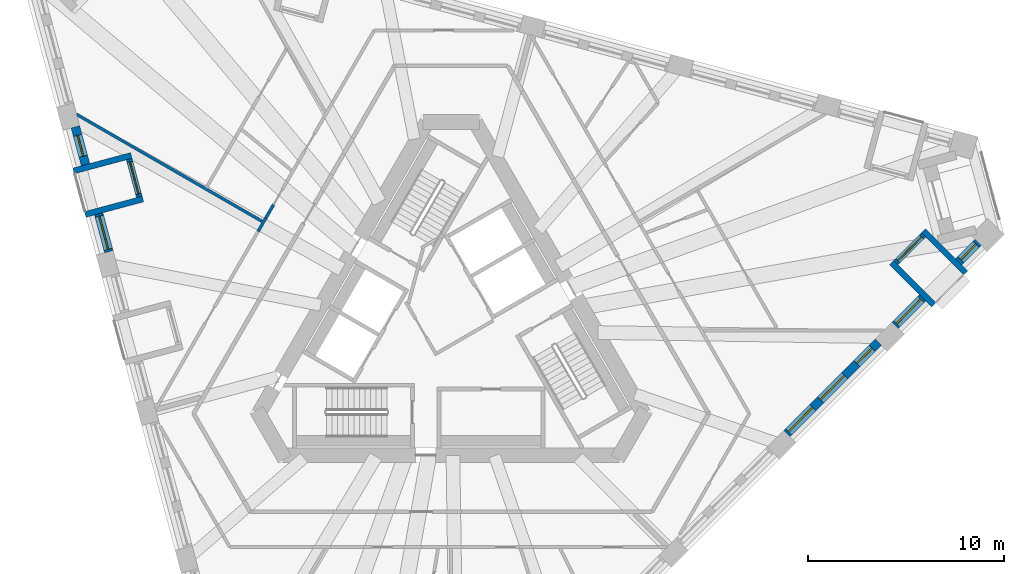
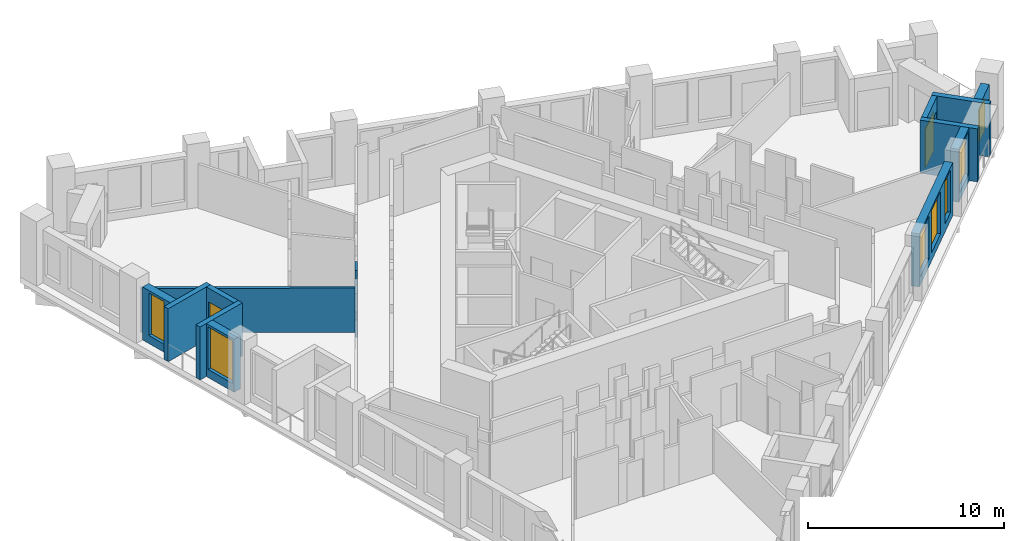
# One storey, part 6 of 13: 14 walls, 7 windows, 2 doors, 9 openings.
"""IFC4 building model written with IfcOpenShell, lengths in metres."""

from ifc_helpers import new_model, si_unit, direction, frame, frame_2d, origin, place, context, subcontext, project, spatial, rectangle, extrude, material, layer, layer_set, type_object, element, fill, save


model = new_model("IFC4")

# Units and contexts
model_context = context("Model", 3, precision=1e-05, world=origin(), true_north=direction((0.0, 1.0)))
body_context = subcontext(model_context, "Body", "Model", "MODEL_VIEW")
ifc_project = project(units=[si_unit("LENGTHUNIT", "METRE"), si_unit("AREAUNIT", "SQUARE_METRE"), si_unit("VOLUMEUNIT", "CUBIC_METRE"), si_unit("PLANEANGLEUNIT", "RADIAN"), si_unit("MASSUNIT", "GRAM", prefix="KILO")], contexts=[model_context])

# Site, building, storey
site_placement = place(None, origin())
site = spatial("IfcSite", under=ifc_project, at=site_placement, CompositionType="ELEMENT")
building_placement = place(site_placement, origin())
building = spatial("IfcBuilding", under=site, at=building_placement, Name="Tramontana Tower", CompositionType="ELEMENT")
storey_placement = place(building_placement, frame((0.0, 0.0, 208.0)))
storey = spatial("IfcBuildingStorey", under=building, at=storey_placement, Name="L48", CompositionType="ELEMENT", Elevation=208.0)

# Wall, opening, window
ifc_material_1 = material(Name="Precast concrete 60 MPa", Category="concrete")
ifc_layer_1 = layer(ifc_material_1, 0.449951171875)
ifc_layer_set_1 = layer_set([ifc_layer_1], Name="Precast concrete 60 MPa, 450 mm")
wall_type_1 = type_object("IfcWallType", Name="EW1 Stone-faced precast wall 450", PredefinedType="SOLIDWALL", material=ifc_layer_set_1)
wall_1_placement = place(storey_placement, frame((-19.1650390625, 10.3818359375, 0.0), z_axis=(0.0, 0.0, 1.0), x_axis=(0.258803270362, -0.96593005298, 0.0)))
wall_1 = element("IfcWall", 1, at=wall_1_placement, inside=storey, type_object=wall_type_1, Name="External wall L48 face 0 bay 2", PredefinedType="SOLIDWALL", context=body_context, shape_type="SweptSolid", body=[
    extrude(rectangle(XDim=1.998046875, YDim=0.449951171875, at=frame_2d((0.9990234375, 0.0))), origin(), (0.0, 0.0, 1.0), 3.300048828125),
])
opening_1_placement = place(wall_1_placement, frame((0.448974609375, 0.0, 0.5)))
opening_1 = element("IfcOpeningElement", 2, at=opening_1_placement, cuts=wall_1, Name="Opening N2", PredefinedType="OPENING", context=body_context, shape_type="SweptSolid", body=[
    extrude(rectangle(XDim=1.10009765625, YDim=2.64990234375, at=frame_2d((0.550048828125, 1.324951171875))), frame((0.0, 0.23486328125, 0.0), z_axis=(0.0, -1.0, 0.0), x_axis=(1.0, 0.0, 0.0)), (0.0, 0.0, 1.0), 0.469970703125),
])
ifc_material_2 = material(Name="Aluminum frame, double glazing unit", Category="aluminium")
window_type_1 = type_object("IfcWindowType", Name="N2 Window 1.1 x 2.65", PartitioningType="SINGLE_PANEL", PredefinedType="WINDOW", material=ifc_material_2)
window_1_placement = place(opening_1_placement, origin())
window_1 = element("IfcWindow", 3, at=window_1_placement, inside=storey, type_object=window_type_1, Name="Window N2 L48 face 0 module 4", OverallHeight=2.64990234375, OverallWidth=1.10009765625, PartitioningType="SINGLE_PANEL", PredefinedType="WINDOW", context=body_context, shape_type="SweptSolid", body=[
    extrude(rectangle(XDim=1.10009765625, YDim=2.64990234375, at=frame_2d((0.550048828125, 1.324951171875))), frame((0.0, 0.030029296875, 0.0), z_axis=(0.0, -1.0, 0.0), x_axis=(1.0, 0.0, 0.0)), (0.0, 0.0, 1.0), 0.06005859375),
])
fill(opening_1, window_1)

wall_2_placement = place(storey_placement, frame((-17.9755859375, 5.9423828125, 0.0), z_axis=(0.0, 0.0, 1.0), x_axis=(0.25891727291, -0.965899500874, 0.0)))
wall_2 = element("IfcWall", 4, at=wall_2_placement, inside=storey, type_object=wall_type_1, Name="External wall L48 face 0 bay 2", PredefinedType="SOLIDWALL", context=body_context, shape_type="SweptSolid", body=[
    extrude(rectangle(XDim=1.998046875, YDim=0.449951171875, at=frame_2d((0.9990234375, 0.0))), origin(), (0.0, 0.0, 1.0), 3.300048828125),
])
opening_2_placement = place(wall_2_placement, frame((0.1240234375, 0.0, 0.5)))
opening_2 = element("IfcOpeningElement", 5, at=opening_2_placement, cuts=wall_2, Name="Opening M2", PredefinedType="OPENING", context=body_context, shape_type="SweptSolid", body=[
    extrude(rectangle(XDim=1.75, YDim=2.64990234375, at=frame_2d((0.875, 1.324951171875))), frame((0.0, 0.23486328125, 0.0), z_axis=(0.0, -1.0, 0.0), x_axis=(1.0, 0.0, 0.0)), (0.0, 0.0, 1.0), 0.469970703125),
])
ifc_material_3 = material(Name="Aluminum frame, double glazing unit", Category="aluminium")
window_type_2 = type_object("IfcWindowType", Name="M2 Window 1.75 x 2.65", PartitioningType="SINGLE_PANEL", PredefinedType="WINDOW", material=ifc_material_3)
window_2_placement = place(opening_2_placement, origin())
window_2 = element("IfcWindow", 6, at=window_2_placement, inside=storey, type_object=window_type_2, Name="Window M2 L48 face 0 module 6", OverallHeight=2.64990234375, OverallWidth=1.75, PartitioningType="SINGLE_PANEL", PredefinedType="WINDOW", context=body_context, shape_type="SweptSolid", body=[
    extrude(rectangle(XDim=1.75, YDim=2.64990234375, at=frame_2d((0.875, 1.324951171875))), frame((0.0, 0.030029296875, 0.0), z_axis=(0.0, -1.0, 0.0), x_axis=(1.0, 0.0, 0.0)), (0.0, 0.0, 1.0), 0.06005859375),
])
fill(opening_2, window_2)

# Wall, openings, windows
wall_3_placement = place(storey_placement, frame((17.12548828125, -5.25439453125, 0.0), z_axis=(0.0, 0.0, 1.0), x_axis=(0.707106781187, 0.707106781187, 0.0)))
wall_3 = element("IfcWall", 7, at=wall_3_placement, inside=storey, type_object=wall_type_1, Name="External wall L48 face 1 bay 5", PredefinedType="SOLIDWALL", context=body_context, shape_type="SweptSolid", body=[
    extrude(rectangle(XDim=6.59423828125, YDim=0.449951171875, at=frame_2d((3.297119140625, 0.0))), origin(), (0.0, 0.0, 1.0), 3.300048828125),
])
opening_3_placement = place(wall_3_placement, frame((0.1240234375, 0.0, 0.5)))
opening_3 = element("IfcOpeningElement", 8, at=opening_3_placement, cuts=wall_3, Name="Opening M2", PredefinedType="OPENING", context=body_context, shape_type="SweptSolid", body=[
    extrude(rectangle(XDim=1.75, YDim=2.64990234375, at=frame_2d((0.875, 1.324951171875))), frame((0.0, 0.23486328125, 0.0), z_axis=(0.0, -1.0, 0.0), x_axis=(1.0, 0.0, 0.0)), (0.0, 0.0, 1.0), 0.469970703125),
])
opening_4_placement = place(wall_3_placement, frame((2.422119140625, 0.0, 0.5)))
opening_4 = element("IfcOpeningElement", 9, at=opening_4_placement, cuts=wall_3, Name="Opening M2", PredefinedType="OPENING", context=body_context, shape_type="SweptSolid", body=[
    extrude(rectangle(XDim=1.75, YDim=2.64990234375, at=frame_2d((0.875, 1.324951171875))), frame((0.0, 0.23486328125, 0.0), z_axis=(0.0, -1.0, 0.0), x_axis=(1.0, 0.0, 0.0)), (0.0, 0.0, 1.0), 0.469970703125),
])
opening_5_placement = place(wall_3_placement, frame((5.045166015625, 0.0, 0.5)))
opening_5 = element("IfcOpeningElement", 10, at=opening_5_placement, cuts=wall_3, Name="Opening N2", PredefinedType="OPENING", context=body_context, shape_type="SweptSolid", body=[
    extrude(rectangle(XDim=1.10009765625, YDim=2.64990234375, at=frame_2d((0.550048828125, 1.324951171875))), frame((0.0, 0.23486328125, 0.0), z_axis=(0.0, -1.0, 0.0), x_axis=(1.0, 0.0, 0.0)), (0.0, 0.0, 1.0), 0.469970703125),
])
window_3_placement = place(opening_3_placement, origin())
window_3 = element("IfcWindow", 11, at=window_3_placement, inside=storey, type_object=window_type_2, Name="Window M2 L48 face 1 module 13", OverallHeight=2.64990234375, OverallWidth=1.75, PartitioningType="SINGLE_PANEL", PredefinedType="WINDOW", context=body_context, shape_type="SweptSolid", body=[
    extrude(rectangle(XDim=1.75, YDim=2.64990234375, at=frame_2d((0.875, 1.324951171875))), frame((0.0, 0.030029296875, 0.0), z_axis=(0.0, -1.0, 0.0), x_axis=(1.0, 0.0, 0.0)), (0.0, 0.0, 1.0), 0.06005859375),
])
fill(opening_3, window_3)
window_4_placement = place(opening_4_placement, origin())
window_4 = element("IfcWindow", 12, at=window_4_placement, inside=storey, type_object=window_type_2, Name="Window M2 L48 face 1 module 14", OverallHeight=2.64990234375, OverallWidth=1.75, PartitioningType="SINGLE_PANEL", PredefinedType="WINDOW", context=body_context, shape_type="SweptSolid", body=[
    extrude(rectangle(XDim=1.75, YDim=2.64990234375, at=frame_2d((0.875, 1.324951171875))), frame((0.0, 0.030029296875, 0.0), z_axis=(0.0, -1.0, 0.0), x_axis=(1.0, 0.0, 0.0)), (0.0, 0.0, 1.0), 0.06005859375),
])
fill(opening_4, window_4)
window_5_placement = place(opening_5_placement, origin())
window_5 = element("IfcWindow", 13, at=window_5_placement, inside=storey, type_object=window_type_1, Name="Window N2 L48 face 1 module 15", OverallHeight=2.64990234375, OverallWidth=1.10009765625, PartitioningType="SINGLE_PANEL", PredefinedType="WINDOW", context=body_context, shape_type="SweptSolid", body=[
    extrude(rectangle(XDim=1.10009765625, YDim=2.64990234375, at=frame_2d((0.550048828125, 1.324951171875))), frame((0.0, 0.030029296875, 0.0), z_axis=(0.0, -1.0, 0.0), x_axis=(1.0, 0.0, 0.0)), (0.0, 0.0, 1.0), 0.06005859375),
])
fill(opening_5, window_5)

# Wall, opening, window
wall_4_placement = place(storey_placement, frame((22.636962890625, 0.257080078125, 0.0), z_axis=(0.0, 0.0, 1.0), x_axis=(0.707106781187, 0.707106781187, 0.0)))
wall_4 = element("IfcWall", 14, at=wall_4_placement, inside=storey, type_object=wall_type_1, Name="External wall L48 face 1 bay 6", PredefinedType="SOLIDWALL", context=body_context, shape_type="SweptSolid", body=[
    extrude(rectangle(XDim=1.998046875, YDim=0.449951171875, at=frame_2d((0.9990234375, 0.0))), origin(), (0.0, 0.0, 1.0), 3.300048828125),
])
opening_6_placement = place(wall_4_placement, frame((0.1240234375, 0.0, 0.5)))
opening_6 = element("IfcOpeningElement", 15, at=opening_6_placement, cuts=wall_4, Name="Opening M2", PredefinedType="OPENING", context=body_context, shape_type="SweptSolid", body=[
    extrude(rectangle(XDim=1.75, YDim=2.64990234375, at=frame_2d((0.875, 1.324951171875))), frame((0.0, 0.23486328125, 0.0), z_axis=(0.0, -1.0, 0.0), x_axis=(1.0, 0.0, 0.0)), (0.0, 0.0, 1.0), 0.469970703125),
])
window_6_placement = place(opening_6_placement, origin())
window_6 = element("IfcWindow", 16, at=window_6_placement, inside=storey, type_object=window_type_2, Name="Window M2 L48 face 1 module 16", OverallHeight=2.64990234375, OverallWidth=1.75, PartitioningType="SINGLE_PANEL", PredefinedType="WINDOW", context=body_context, shape_type="SweptSolid", body=[
    extrude(rectangle(XDim=1.75, YDim=2.64990234375, at=frame_2d((0.875, 1.324951171875))), frame((0.0, 0.030029296875, 0.0), z_axis=(0.0, -1.0, 0.0), x_axis=(1.0, 0.0, 0.0)), (0.0, 0.0, 1.0), 0.06005859375),
])
fill(opening_6, window_6)

wall_5_placement = place(storey_placement, frame((25.886962890625, 3.507080078125, 0.0), z_axis=(0.0, 0.0, 1.0), x_axis=(0.707106781187, 0.707106781187, 0.0)))
wall_5 = element("IfcWall", 17, at=wall_5_placement, inside=storey, type_object=wall_type_1, Name="External wall L48 face 1 bay 6", PredefinedType="SOLIDWALL", context=body_context, shape_type="SweptSolid", body=[
    extrude(rectangle(XDim=1.39794921875, YDim=0.449951171875, at=frame_2d((0.698974609375, 0.0))), origin(), (0.0, 0.0, 1.0), 3.300048828125),
])
opening_7_placement = place(wall_5_placement, frame((0.14892578125, 0.0, 0.5)))
opening_7 = element("IfcOpeningElement", 18, at=opening_7_placement, cuts=wall_5, Name="Opening N2L", PredefinedType="OPENING", context=body_context, shape_type="SweptSolid", body=[
    extrude(rectangle(XDim=1.10009765625, YDim=2.0, at=frame_2d((0.550048828125, 1.0))), frame((0.0, 0.23486328125, 0.0), z_axis=(0.0, -1.0, 0.0), x_axis=(1.0, 0.0, 0.0)), (0.0, 0.0, 1.0), 0.469970703125),
])
ifc_material_4 = material(Name="Aluminum frame, double glazing unit", Category="aluminium")
window_type_3 = type_object("IfcWindowType", Name="N2L Window 1.1 x 2", PartitioningType="SINGLE_PANEL", PredefinedType="WINDOW", material=ifc_material_4)
window_7_placement = place(opening_7_placement, origin())
window_7 = element("IfcWindow", 19, at=window_7_placement, inside=storey, type_object=window_type_3, Name="Window N2L L48 face 1 module 18", OverallHeight=2.0, OverallWidth=1.10009765625, PartitioningType="SINGLE_PANEL", PredefinedType="WINDOW", context=body_context, shape_type="SweptSolid", body=[
    extrude(rectangle(XDim=1.10009765625, YDim=2.0, at=frame_2d((0.550048828125, 1.0))), frame((0.0, 0.030029296875, 0.0), z_axis=(0.0, -1.0, 0.0), x_axis=(1.0, 0.0, 0.0)), (0.0, 0.0, 1.0), 0.06005859375),
])
fill(opening_7, window_7)

# Wall, opening, door
ifc_material_5 = material(Name="Precast concrete 60 MPa", Category="concrete")
ifc_layer_2 = layer(ifc_material_5, 0.300048828125)
ifc_layer_set_2 = layer_set([ifc_layer_2], Name="LW1 Stone-faced loggia wall 300")
wall_type_2 = type_object("IfcWallType", Name="LW1 Stone-faced loggia wall 300", PredefinedType="SOLIDWALL", material=ifc_layer_set_2)
wall_6_placement = place(storey_placement, frame((-16.421142578125, 8.738037109375, 0.0), z_axis=(0.0, 0.0, 1.0), x_axis=(0.258803270362, -0.96593005298, 0.0)))
wall_6 = element("IfcWall", 20, at=wall_6_placement, inside=storey, type_object=wall_type_2, Name="Loggia wall L48 G5S0.4", PredefinedType="SOLIDWALL", context=body_context, shape_type="SweptSolid", body=[
    extrude(rectangle(XDim=1.998046875, YDim=0.300048828125, at=frame_2d((0.9990234375, 0.0))), origin(), (0.0, 0.0, 1.0), 3.300048828125),
])
opening_8_placement = place(wall_6_placement, frame((0.14892578125, 0.0, 0.0)))
opening_8 = element("IfcOpeningElement", 21, at=opening_8_placement, cuts=wall_6, Name="Opening BD-5S0-04", PredefinedType="OPENING", context=body_context, shape_type="SweptSolid", body=[
    extrude(rectangle(XDim=1.699951171875, YDim=2.449951171875, at=frame_2d((0.85009765625, 1.22509765625))), frame((0.0, 0.159912109375, 0.0), z_axis=(0.0, -1.0, 0.0), x_axis=(1.0, 0.0, 0.0)), (0.0, 0.0, 1.0), 0.320068359375),
])
ifc_material_6 = material(Name="Aluminum frame, double glazing unit", Category="aluminium")
door_type = type_object("IfcDoorType", Name="BD2 Sliding door 1.7 x 2.45", OperationType="SLIDING_TO_LEFT", PredefinedType="DOOR", material=ifc_material_6)
door_1_placement = place(opening_8_placement, origin())
door_1 = element("IfcDoor", 22, at=door_1_placement, inside=storey, type_object=door_type, Name="Loggia door L48 G5S0.4", OperationType="SLIDING_TO_LEFT", OverallHeight=2.449951171875, OverallWidth=1.699951171875, PredefinedType="DOOR", context=body_context, shape_type="SweptSolid", body=[
    extrude(rectangle(XDim=1.699951171875, YDim=2.449951171875, at=frame_2d((0.85009765625, 1.22509765625))), frame((0.0, 0.02490234375, 0.0), z_axis=(0.0, -1.0, 0.0), x_axis=(1.0, 0.0, 0.0)), (0.0, 0.0, 1.0), 0.050048828125),
])
fill(opening_8, door_1)

# Walls
wall_7_placement = place(storey_placement, frame((-19.26123046875, 8.13232421875, 0.0), z_axis=(0.0, 0.0, 1.0), x_axis=(0.9659380486, 0.25877342651, 0.0)))
element("IfcWall", 23, at=wall_7_placement, inside=storey, type_object=wall_type_2, Name="Loggia return L48 G5S0.4a", PredefinedType="SOLIDWALL", context=body_context, shape_type="SweptSolid", body=[
    extrude(rectangle(XDim=3.05029296875, YDim=0.300048828125, at=frame_2d((1.525146484375, 0.0))), origin(), (0.0, 0.0, 1.0), 3.300048828125),
])
wall_8_placement = place(storey_placement, frame((-18.666259765625, 5.91259765625, 0.0), z_axis=(0.0, 0.0, 1.0), x_axis=(0.965932688119, 0.258793435045, 0.0)))
element("IfcWall", 24, at=wall_8_placement, inside=storey, type_object=wall_type_2, Name="Loggia return L48 G5S0.4b", PredefinedType="SOLIDWALL", context=body_context, shape_type="SweptSolid", body=[
    extrude(rectangle(XDim=3.050048828125, YDim=0.300048828125, at=frame_2d((1.52490234375, 0.0))), origin(), (0.0, 0.0, 1.0), 3.300048828125),
])

# Wall, opening, door
wall_9_placement = place(storey_placement, frame((22.688720703125, 3.455322265625, 0.0), z_axis=(0.0, 0.0, 1.0), x_axis=(0.707106781187, 0.707106781187, 0.0)))
wall_9 = element("IfcWall", 25, at=wall_9_placement, inside=storey, type_object=wall_type_2, Name="Loggia wall L48 G5S1.16", PredefinedType="SOLIDWALL", context=body_context, shape_type="SweptSolid", body=[
    extrude(rectangle(XDim=1.998046875, YDim=0.300048828125, at=frame_2d((0.9990234375, 0.0))), origin(), (0.0, 0.0, 1.0), 3.300048828125),
])
opening_9_placement = place(wall_9_placement, frame((0.14892578125, 0.0, 0.0)))
opening_9 = element("IfcOpeningElement", 26, at=opening_9_placement, cuts=wall_9, Name="Opening BD-5S1-16", PredefinedType="OPENING", context=body_context, shape_type="SweptSolid", body=[
    extrude(rectangle(XDim=1.699951171875, YDim=2.449951171875, at=frame_2d((0.85009765625, 1.22509765625))), frame((0.0, 0.159912109375, 0.0), z_axis=(0.0, -1.0, 0.0), x_axis=(1.0, 0.0, 0.0)), (0.0, 0.0, 1.0), 0.320068359375),
])
door_2_placement = place(opening_9_placement, origin())
door_2 = element("IfcDoor", 27, at=door_2_placement, inside=storey, type_object=door_type, Name="Loggia door L48 G5S1.16", OperationType="SLIDING_TO_LEFT", OverallHeight=2.449951171875, OverallWidth=1.699951171875, PredefinedType="DOOR", context=body_context, shape_type="SweptSolid", body=[
    extrude(rectangle(XDim=1.699951171875, YDim=2.449951171875, at=frame_2d((0.85009765625, 1.22509765625))), frame((0.0, 0.02490234375, 0.0), z_axis=(0.0, -1.0, 0.0), x_axis=(1.0, 0.0, 0.0)), (0.0, 0.0, 1.0), 0.050048828125),
])
fill(opening_9, door_2)

# Walls
for number, where, z_axis, x_axis, name in (
    (28, (24.633056640625, 1.298583984375, 0.0), (0.0, 0.0, 1.0), (-0.707066755897, 0.707146804211, 0.0), "Loggia return L48 G5S1.16a"),
    (29, (26.258056640625, 2.923583984375, 0.0), (0.0, 0.0, 1.0), (-0.707066755897, 0.707146804211, 0.0), "Loggia return L48 G5S1.16b"),
):
    element("IfcWall", number, at=place(storey_placement, frame(where, z_axis=z_axis, x_axis=x_axis)), inside=storey, type_object=wall_type_2, Name=name, PredefinedType="SOLIDWALL", context=body_context, shape_type="SweptSolid", body=[
        extrude(rectangle(XDim=3.0498046875, YDim=0.300048828125, at=frame_2d((1.52490234375, 0.0))), origin(), (0.0, 0.0, 1.0), 3.300048828125),
    ])
ifc_material_7 = material(Name="Gypsum board partition")
ifc_layer_3 = layer(ifc_material_7, 0.14990234375)
ifc_layer_set_3 = layer_set([ifc_layer_3], Name="PARTITION 150")
wall_type_3 = type_object("IfcWallType", Name="PARTITION 150", PredefinedType="PARTITIONING", material=ifc_layer_set_3)
wall_10_placement = place(storey_placement, frame((-9.843994140625, 5.0498046875, 0.0), z_axis=(0.0, 0.0, 1.0), x_axis=(0.500204125617, 0.865907519724, 0.0)))
element("IfcWall", 30, at=wall_10_placement, inside=storey, type_object=wall_type_3, Name="Wall v50-pw00-4", PredefinedType="PARTITIONING", context=body_context, shape_type="SweptSolid", body=[
    extrude(rectangle(XDim=0.775146484375, YDim=0.14990234375, at=frame_2d((0.3876953125, 0.0))), origin(), (0.0, 0.0, 1.0), 2.75),
])
wall_11_placement = place(storey_placement, frame((-9.456298828125, 5.720947265625, 0.0), z_axis=(0.0, 0.0, 1.0), x_axis=(0.499874568293, 0.866097809704, 0.0)))
element("IfcWall", 31, at=wall_11_placement, inside=storey, type_object=wall_type_3, Name="Wall v50-pw00-5", PredefinedType="PARTITIONING", context=body_context, shape_type="SweptSolid", body=[
    extrude(rectangle(XDim=0.787353515625, YDim=0.14990234375, at=frame_2d((0.3935546875, 0.0))), origin(), (0.0, 0.0, 1.0), 3.64990234375),
])
wall_12_placement = place(storey_placement, frame((-9.63671875, 5.55908203125, 0.0), z_axis=(0.0, 0.0, 1.0), x_axis=(-0.866210875497, 0.499678615883, 0.0)))
element("IfcWall", 32, at=wall_12_placement, inside=storey, type_object=wall_type_3, Name="Wall v50-pw06-0", PredefinedType="PARTITIONING", context=body_context, shape_type="SweptSolid", body=[
    extrude(rectangle(XDim=10.928466796875, YDim=0.14990234375, at=frame_2d((5.46435546875, 0.0))), origin(), (0.0, 0.0, 1.0), 2.75),
])

save(model, "model.ifc")
